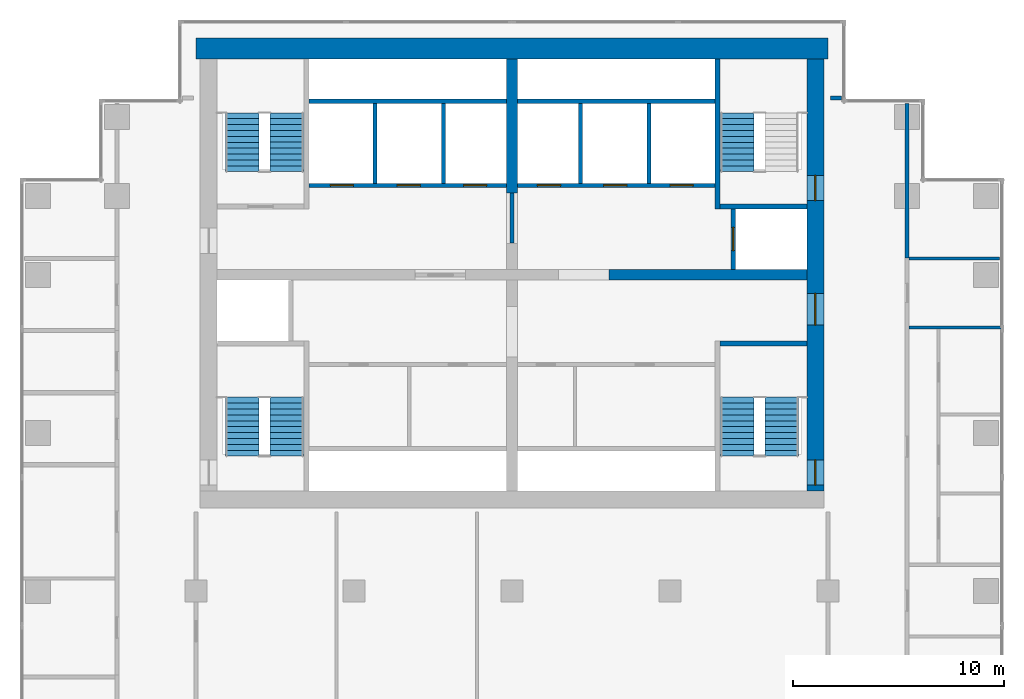
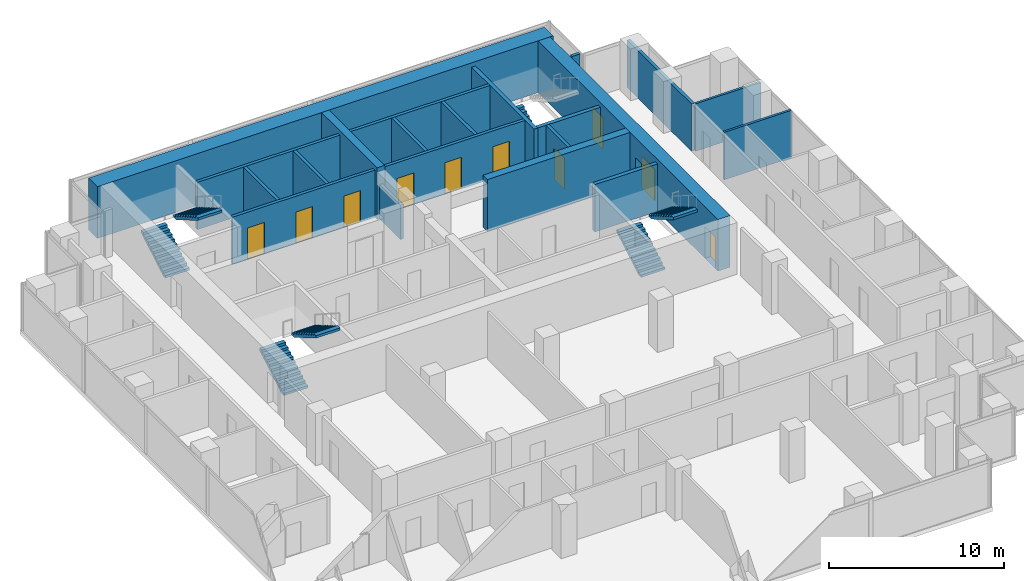
# One storey, part 9 of 11: 21 walls, 10 doors, 7 stair flights, 10 openings, 4 elements without a shape of their own.
"""IFC4 building model written with IfcOpenShell, lengths in metres."""

import ifcopenshell
import ifcopenshell.guid

model = None  # the IFC model being written
_history = None  # IfcOwnerHistory: only IFC2X3 demands one
_inside = {}  # id of a spatial element -> (the spatial element, [elements in it])
_under = {}  # id of a project, library or spatial element -> (it, [spatial elements below it])
_declared = {}  # id of a project -> (the project, [libraries it declares])
_typed = {}  # id of a type object -> (the type object, [elements of that type])
_made_of = {}  # id of a material, layer set ... -> (it, [elements and type objects made of it])


def new_model(schema):
    """Start an empty IFC model of exactly this schema.

    Asked for "IFC4X3", IfcOpenShell would pick the latest addendum, in which some entities
    have other attributes; the version numbers below select the first issue.
    IFC2X3 requires an IfcOwnerHistory on every rooted entity: one is made here for all.
    """
    global model, _history
    if schema == "IFC4X3":
        model = ifcopenshell.file(schema_version=(4, 3, 0, 0))
    else:
        model = ifcopenshell.file(schema=schema)
    _inside.clear()
    _under.clear()
    _declared.clear()
    _typed.clear()
    _made_of.clear()
    _history = None
    if model.schema == "IFC2X3":
        org = make("IfcOrganization", Name="unknown")
        user = make(
            "IfcPersonAndOrganization",
            ThePerson=make("IfcPerson", FamilyName="unknown"),
            TheOrganization=org,
        )
        app = make(
            "IfcApplication",
            ApplicationDeveloper=org,
            Version="unknown",
            ApplicationFullName="unknown",
            ApplicationIdentifier="unknown",
        )
        _history = make(
            "IfcOwnerHistory",
            OwningUser=user,
            OwningApplication=app,
            ChangeAction="ADDED",
            CreationDate=0,
        )
    return model


def make(cls, **values):
    """One entity of the class cls with the attributes given. An attribute that is None is left unset."""
    return model.create_entity(
        cls, **{name: value for name, value in values.items() if value is not None}
    )


def rooted(cls, **values):
    """An entity with a GlobalId (a new one), such as an element, a storey or a relation."""
    return make(cls, GlobalId=ifcopenshell.guid.new(), OwnerHistory=_history, **values)


def si_unit(unit_type, name, prefix=None):
    """IfcSIUnit, for example si_unit("LENGTHUNIT", "METRE", prefix="MILLI")."""
    return make("IfcSIUnit", UnitType=unit_type, Prefix=prefix, Name=name)


def assignment(units):
    """IfcUnitAssignment: the units of a project."""
    return None if units is None else make("IfcUnitAssignment", Units=units)


def point(xyz):
    """IfcCartesianPoint."""
    return None if xyz is None else make("IfcCartesianPoint", Coordinates=xyz)


def direction(xyz):
    """IfcDirection."""
    return None if xyz is None else make("IfcDirection", DirectionRatios=xyz)


def frame(location, z_axis=None, x_axis=None):
    """IfcAxis2Placement3D, a coordinate frame: its origin and axes. An axis left out is left unset."""
    return make(
        "IfcAxis2Placement3D",
        Location=point(location),
        Axis=direction(z_axis),
        RefDirection=direction(x_axis),
    )


def frame_2d(location, x_axis=None):
    """IfcAxis2Placement2D, a coordinate frame in the plane: its origin and x axis."""
    return make(
        "IfcAxis2Placement2D", Location=point(location), RefDirection=direction(x_axis)
    )


def origin():
    """The frame at (0, 0, 0) with its axes left unset."""
    return frame((0.0, 0.0, 0.0))


def place(relative_to, where):
    """IfcLocalPlacement: puts the frame where relative to a parent placement (None: the world)."""
    return make(
        "IfcLocalPlacement", PlacementRelTo=relative_to, RelativePlacement=where
    )


def context(
    kind, dimensions, precision=None, world=None, true_north=None, identifier=None
):
    """IfcGeometricRepresentationContext, for example the 3D "Model" context."""
    return make(
        "IfcGeometricRepresentationContext",
        ContextIdentifier=identifier,
        ContextType=kind,
        CoordinateSpaceDimension=dimensions,
        Precision=precision,
        WorldCoordinateSystem=world,
        TrueNorth=true_north,
    )


def subcontext(parent, identifier, kind, view, scale=None):
    """IfcGeometricRepresentationSubContext, for example "Body" below "Model"."""
    return make(
        "IfcGeometricRepresentationSubContext",
        ContextIdentifier=identifier,
        ContextType=kind,
        ParentContext=parent,
        TargetScale=scale,
        TargetView=view,
    )


def project(units=None, contexts=None):
    """IfcProject with its units and contexts."""
    return rooted(
        "IfcProject",
        Name="project",
        RepresentationContexts=contexts,
        UnitsInContext=assignment(units),
    )


def spatial(cls, under=None, at=None, **own):
    """A site, building, storey or space (cls), placed at a placement, below another one or the project."""
    s = rooted(cls, ObjectPlacement=at, **own)
    if under is not None:
        _under.setdefault(under.id(), (under, []))[1].append(s)
    return s


def polyline(points):
    """IfcPolyline through the points."""
    return make("IfcPolyline", Points=[point(p) for p in points])


def profile(cls, at=None, kind="AREA", **sizes):
    """A parametric profile (cls). Its sizes go by their IFC names, for example OverallWidth=200.0."""
    return make(cls, ProfileType=kind, Position=at, **sizes)


def rectangle(**sizes):
    """IfcRectangleProfileDef."""
    return profile("IfcRectangleProfileDef", **sizes)


def outline(outer, holes=None, kind="AREA"):
    """IfcArbitraryClosedProfileDef: a profile drawn as a closed curve; with holes, ...WithVoids."""
    if holes is None:
        return make("IfcArbitraryClosedProfileDef", ProfileType=kind, OuterCurve=outer)
    return make(
        "IfcArbitraryProfileDefWithVoids",
        ProfileType=kind,
        OuterCurve=outer,
        InnerCurves=holes,
    )


def extrude(swept, where, along, depth):
    """IfcExtrudedAreaSolid: the profile swept, set in the frame where, extruded along a direction by depth."""
    return make(
        "IfcExtrudedAreaSolid",
        SweptArea=swept,
        Position=where,
        ExtrudedDirection=direction(along),
        Depth=depth,
    )


def shape(context_of_items, identifier, shape_type, items):
    """IfcShapeRepresentation: the items that make up one representation, for example the "Body"."""
    return make(
        "IfcShapeRepresentation",
        ContextOfItems=context_of_items,
        RepresentationIdentifier=identifier,
        RepresentationType=shape_type,
        Items=items,
    )


def material(Name=None, Category=None):
    """IfcMaterial."""
    return make("IfcMaterial", Name=Name, Category=Category)


def layer(
    of_material, thickness, ventilated=None, Name=None, Category=None, Priority=None
):
    """IfcMaterialLayer: one layer of a wall or slab, of a material (None: an air gap)."""
    return make(
        "IfcMaterialLayer",
        Material=of_material,
        LayerThickness=thickness,
        IsVentilated=ventilated,
        Name=Name,
        Category=Category,
        Priority=Priority,
    )


def layer_set(layers, Name=None):
    """IfcMaterialLayerSet."""
    return make("IfcMaterialLayerSet", MaterialLayers=layers, LayerSetName=Name)


def made_of(thing, what):
    """Note that an element or type object is made of a material, layer set ...; save() writes the relation."""
    if what is not None:
        _made_of.setdefault(what.id(), (what, []))[1].append(thing)
    return thing


def type_object(cls, material=None, **own):
    """A type object (cls), such as IfcWallType, which elements share."""
    return made_of(rooted(cls, **own), material)


def element(
    cls,
    number,
    at=None,
    inside=None,
    cuts=None,
    type_object=None,
    material=None,
    context=None,
    identifier="Body",
    shape_type=None,
    held_by="IfcProductDefinitionShape",
    body=None,
    shapes=None,
    **own,
):
    """One element of the class cls, such as IfcWall. Its Tag is "e" and its number.

    at: its placement. inside: the storey or other place that contains it. cuts: it is an
    opening in that element (IfcRelVoidsElement). A single representation is given by context,
    identifier, shape_type and body (its items); several are given by shapes. held_by: the class
    of the entity that holds the representations. save() writes the other relations.
    """
    e = rooted(cls, Tag="e%d" % number, ObjectPlacement=at, **own)
    if body is not None:
        shapes = [shape(context, identifier, shape_type, body)]
    if shapes is not None:
        e.Representation = make(held_by, Representations=shapes)
    if inside is not None:
        _inside.setdefault(inside.id(), (inside, []))[1].append(e)
    if cuts is not None:
        rooted(
            "IfcRelVoidsElement", RelatingBuildingElement=cuts, RelatedOpeningElement=e
        )
    if type_object is not None:
        _typed.setdefault(type_object.id(), (type_object, []))[1].append(e)
    return made_of(e, material)


def fill(opening, filler):
    """IfcRelFillsElement: the door or window that sits in an opening."""
    return rooted(
        "IfcRelFillsElement",
        RelatingOpeningElement=opening,
        RelatedBuildingElement=filler,
    )


def aggregate(whole, parts):
    """IfcRelAggregates: a whole, such as a stair, and the parts it consists of."""
    return rooted("IfcRelAggregates", RelatingObject=whole, RelatedObjects=parts)


def save(model, path):
    """Write the relations noted so far, then the file.

    IfcRelAggregates (storeys below a building ...), IfcRelContainedInSpatialStructure (elements
    in a storey), IfcRelDefinesByType, IfcRelAssociatesMaterial and IfcRelDeclares: one each for
    every whole, place, type object, material and project.
    """
    for whole, parts in _under.values():
        aggregate(whole, parts)
    for where, things in _inside.values():
        rooted(
            "IfcRelContainedInSpatialStructure",
            RelatedElements=things,
            RelatingStructure=where,
        )
    for kind, things in _typed.values():
        rooted("IfcRelDefinesByType", RelatedObjects=things, RelatingType=kind)
    for what, things in _made_of.values():
        rooted("IfcRelAssociatesMaterial", RelatedObjects=things, RelatingMaterial=what)
    for by, libraries in _declared.values():
        rooted("IfcRelDeclares", RelatingContext=by, RelatedDefinitions=libraries)
    model.write(path)


model = new_model("IFC4")

# Units and contexts
model_context = context("Model", 3, precision=1e-05, world=origin(), true_north=direction((0.0, 1.0)))
body_context = subcontext(model_context, "Body", "Model", "MODEL_VIEW")
ifc_project = project(units=[si_unit("LENGTHUNIT", "METRE"), si_unit("AREAUNIT", "SQUARE_METRE"), si_unit("VOLUMEUNIT", "CUBIC_METRE"), si_unit("PLANEANGLEUNIT", "RADIAN"), si_unit("MASSUNIT", "GRAM", prefix="KILO")], contexts=[model_context])

# Site, building, storey
site_placement = place(None, origin())
site = spatial("IfcSite", under=ifc_project, at=site_placement, CompositionType="ELEMENT")
building_placement = place(site_placement, origin())
building = spatial("IfcBuilding", under=site, at=building_placement, Name="Pilkhan Gate Tower", CompositionType="ELEMENT")
storey_placement = place(building_placement, frame((0.0, 0.0, 151.300048828125)))
storey = spatial("IfcBuildingStorey", under=building, at=storey_placement, Name="L38", CompositionType="ELEMENT", Elevation=151.300048828125)

# Wall
ifc_material_1 = material(Name="Concrete C60/75", Category="concrete")
ifc_layer_1 = layer(ifc_material_1, 1.0)
ifc_layer_set_1 = layer_set([ifc_layer_1], Name="Core wall CW1000 C60/75")
wall_type_1 = type_object("IfcWallType", Name="Core wall CW1000 C60/75", PredefinedType="SHEAR", material=ifc_layer_set_1)
wall_1_placement = place(storey_placement, frame((90.0, 93.25, 0.0), z_axis=(0.0, 0.0, 1.0), x_axis=(-1.0, 0.0, 0.0)))
element("IfcWall", 1, at=wall_1_placement, inside=storey, type_object=wall_type_1, Name="Core wall N L38", PredefinedType="SHEAR", context=body_context, shape_type="SweptSolid", body=[
    extrude(rectangle(XDim=30.0, YDim=1.0, at=frame_2d((15.0, 0.0))), origin(), (0.0, 0.0, 1.0), 3.599853515625),
])

# Wall, openings, doors
ifc_layer_2 = layer(ifc_material_1, 0.800048828125)
ifc_layer_set_2 = layer_set([ifc_layer_2], Name="Core wall CW800 C60/75")
wall_type_2 = type_object("IfcWallType", Name="Core wall CW800 C60/75", PredefinedType="SHEAR", material=ifc_layer_set_2)
wall_2_placement = place(storey_placement, frame((89.39990234375, 72.25, 0.0), z_axis=(0.0, 0.0, 1.0), x_axis=(0.0, 1.0, 0.0)))
wall_2 = element("IfcWall", 2, at=wall_2_placement, inside=storey, type_object=wall_type_2, Name="Core wall E L38", PredefinedType="SHEAR", context=body_context, shape_type="SweptSolid", body=[
    extrude(rectangle(XDim=20.5, YDim=0.800048828125, at=frame_2d((10.25, 0.0))), origin(), (0.0, 0.0, 1.0), 3.599853515625),
])
opening_1_placement = place(wall_2_placement, frame((0.27490234375, 0.0, 0.0)))
opening_1 = element("IfcOpeningElement", 3, at=opening_1_placement, cuts=wall_2, Name="Opening L38-03", PredefinedType="OPENING", context=body_context, shape_type="SweptSolid", body=[
    extrude(rectangle(XDim=1.199951171875, YDim=2.199951171875, at=frame_2d((0.60009765625, 1.10009765625))), frame((0.0, 0.409912109375, 0.0), z_axis=(0.0, -1.0, 0.0), x_axis=(1.0, 0.0, 0.0)), (0.0, 0.0, 1.0), 0.820068359375),
])
opening_2_placement = place(wall_2_placement, frame((13.77490234375, 0.0, 0.0)))
opening_2 = element("IfcOpeningElement", 4, at=opening_2_placement, cuts=wall_2, Name="Opening L38-05", PredefinedType="OPENING", context=body_context, shape_type="SweptSolid", body=[
    extrude(rectangle(XDim=1.199951171875, YDim=2.199951171875, at=frame_2d((0.60009765625, 1.10009765625))), frame((0.0, 0.409912109375, 0.0), z_axis=(0.0, -1.0, 0.0), x_axis=(1.0, 0.0, 0.0)), (0.0, 0.0, 1.0), 0.820068359375),
])
opening_3_placement = place(wall_2_placement, frame((7.875, 0.0, 0.0)))
opening_3 = element("IfcOpeningElement", 5, at=opening_3_placement, cuts=wall_2, Name="Opening L38-13", PredefinedType="OPENING", context=body_context, shape_type="SweptSolid", body=[
    extrude(rectangle(XDim=1.5, YDim=2.199951171875, at=frame_2d((0.75, 1.10009765625))), frame((0.0, 0.409912109375, 0.0), z_axis=(0.0, -1.0, 0.0), x_axis=(1.0, 0.0, 0.0)), (0.0, 0.0, 1.0), 0.820068359375),
])
ifc_material_2 = material(Name="Steel framed glazed door, 60 minute fire resisting", Category="steel")
door_type_1 = type_object("IfcDoorType", Name="Lobby door D09 1500x2200", OperationType="DOUBLE_DOOR_SINGLE_SWING", PredefinedType="DOOR", material=ifc_material_2)
door_1_placement = place(opening_3_placement, origin())
door_1 = element("IfcDoor", 6, at=door_1_placement, inside=storey, type_object=door_type_1, Name="Core door", OperationType="DOUBLE_DOOR_SINGLE_SWING", OverallHeight=2.199951171875, OverallWidth=1.5, PredefinedType="DOOR", context=body_context, shape_type="SweptSolid", body=[
    extrude(rectangle(XDim=1.5, YDim=2.199951171875, at=frame_2d((0.75, 1.10009765625))), frame((0.0, 0.02490234375, 0.0), z_axis=(0.0, -1.0, 0.0), x_axis=(1.0, 0.0, 0.0)), (0.0, 0.0, 1.0), 0.050048828125),
])
fill(opening_3, door_1)
ifc_material_3 = material(Name="Steel door, 120 minute fire resisting, panic bar", Category="steel")
door_type_2 = type_object("IfcDoorType", Name="Stair door D11 1200x2200", OperationType="SINGLE_SWING_LEFT", PredefinedType="DOOR", material=ifc_material_3)
door_2_placement = place(opening_1_placement, origin())
door_2 = element("IfcDoor", 7, at=door_2_placement, inside=storey, type_object=door_type_2, Name="Stair ST1 door", OperationType="SINGLE_SWING_LEFT", OverallHeight=2.199951171875, OverallWidth=1.199951171875, PredefinedType="DOOR", context=body_context, shape_type="SweptSolid", body=[
    extrude(rectangle(XDim=1.199951171875, YDim=2.199951171875, at=frame_2d((0.60009765625, 1.10009765625))), frame((0.0, 0.02490234375, 0.0), z_axis=(0.0, -1.0, 0.0), x_axis=(1.0, 0.0, 0.0)), (0.0, 0.0, 1.0), 0.050048828125),
])
fill(opening_1, door_2)
door_3_placement = place(opening_2_placement, origin())
door_3 = element("IfcDoor", 8, at=door_3_placement, inside=storey, type_object=door_type_2, Name="Stair ST4 door", OperationType="SINGLE_SWING_RIGHT", OverallHeight=2.199951171875, OverallWidth=1.199951171875, PredefinedType="DOOR", context=body_context, shape_type="SweptSolid", body=[
    extrude(rectangle(XDim=1.199951171875, YDim=2.199951171875, at=frame_2d((0.60009765625, 1.10009765625))), frame((0.0, 0.02490234375, 0.0), z_axis=(0.0, -1.0, 0.0), x_axis=(1.0, 0.0, 0.0)), (0.0, 0.0, 1.0), 0.050048828125),
])
fill(opening_2, door_3)

# Walls
ifc_material_4 = material(Name="Dense blockwork", Category="masonry")
ifc_layer_3 = layer(ifc_material_4, 0.199951171875)
ifc_layer_set_3 = layer_set([ifc_layer_3], Name="Corridor wall FW200")
wall_type_3 = type_object("IfcWallType", Name="Corridor wall FW200", PredefinedType="PARTITIONING", material=ifc_layer_set_3)
wall_3_placement = place(storey_placement, frame((90.1201171875, 90.89990234375, 0.0), z_axis=(0.0, 0.0, 1.0), x_axis=(1.0, 0.0, 0.0)))
element("IfcWall", 9, at=wall_3_placement, inside=storey, type_object=wall_type_3, Name="Partition L38", PredefinedType="PARTITIONING", context=body_context, shape_type="SweptSolid", body=[
    extrude(rectangle(XDim=0.52490234375, YDim=0.199951171875, at=frame_2d((0.262451171875, 0.0))), origin(), (0.0, 0.0, 1.0), 3.300048828125),
])
wall_4_placement = place(storey_placement, frame((93.75, 83.31005859375, 0.0), z_axis=(0.0, 0.0, 1.0), x_axis=(0.0, 1.0, 0.0)))
element("IfcWall", 10, at=wall_4_placement, inside=storey, type_object=wall_type_3, Name="Partition L38", PredefinedType="PARTITIONING", context=body_context, shape_type="SweptSolid", body=[
    extrude(rectangle(XDim=7.3349609375, YDim=0.199951171875, at=frame_2d((3.66748046875, 0.0))), origin(), (0.0, 0.0, 1.0), 3.300048828125),
])
ifc_layer_4 = layer(ifc_material_4, 0.199951171875)
ifc_layer_set_4 = layer_set([ifc_layer_4], Name="Lobby wall LW200")
wall_type_4 = type_object("IfcWallType", Name="Lobby wall LW200", PredefinedType="PARTITIONING", material=ifc_layer_set_4)
wall_5_placement = place(storey_placement, frame((75.0, 84.010009765625, 0.0), z_axis=(0.0, 0.0, 1.0), x_axis=(0.0, 1.0, 0.0)))
element("IfcWall", 11, at=wall_5_placement, inside=storey, type_object=wall_type_4, Name="Partition L38", PredefinedType="PARTITIONING", context=body_context, shape_type="SweptSolid", body=[
    extrude(rectangle(XDim=2.3798828125, YDim=0.199951171875, at=frame_2d((1.18994140625, 0.0))), origin(), (0.0, 0.0, 1.0), 2.39990234375),
])
ifc_material_5 = material(Name="Blockwork partition, plastered both sides", Category="masonry")
ifc_layer_5 = layer(ifc_material_5, 0.14990234375)
ifc_layer_set_5 = layer_set([ifc_layer_5], Name="Partition PW150")
wall_type_5 = type_object("IfcWallType", Name="Partition PW150", PredefinedType="PARTITIONING", material=ifc_layer_set_5)
wall_6_placement = place(storey_placement, frame((93.85009765625, 80.0, 0.0), z_axis=(0.0, 0.0, 1.0), x_axis=(1.0, 0.0, 0.0)))
element("IfcWall", 12, at=wall_6_placement, inside=storey, type_object=wall_type_5, Name="Partition L38", PredefinedType="PARTITIONING", context=body_context, shape_type="SweptSolid", body=[
    extrude(rectangle(XDim=4.414794921875, YDim=0.14990234375, at=frame_2d((2.20751953125, 0.0))), origin(), (0.0, 0.0, 1.0), 3.300048828125),
])
wall_7_placement = place(storey_placement, frame((93.85009765625, 83.280029296875, 0.0), z_axis=(0.0, 0.0, 1.0), x_axis=(1.0, 0.0, 0.0)))
element("IfcWall", 13, at=wall_7_placement, inside=storey, type_object=wall_type_5, Name="Partition L38", PredefinedType="PARTITIONING", context=body_context, shape_type="SweptSolid", body=[
    extrude(rectangle(XDim=4.294921875, YDim=0.14990234375, at=frame_2d((2.1474609375, 0.0))), origin(), (0.0, 0.0, 1.0), 3.300048828125),
])

# Wall, openings, doors
ifc_material_6 = material(Name="Reinforced blockwork shaft wall, 120 minute fire resisting", Category="masonry")
ifc_layer_6 = layer(ifc_material_6, 0.199951171875)
ifc_layer_set_6 = layer_set([ifc_layer_6], Name="Shaft wall SW200")
wall_type_6 = type_object("IfcWallType", Name="Shaft wall SW200", PredefinedType="PARTITIONING", material=ifc_layer_set_6)
wall_8_placement = place(storey_placement, frame((65.375, 86.75, 0.0), z_axis=(0.0, 0.0, 1.0), x_axis=(1.0, 0.0, 0.0)))
wall_8 = element("IfcWall", 14, at=wall_8_placement, inside=storey, type_object=wall_type_6, Name="Partition L38", PredefinedType="PARTITIONING", context=body_context, shape_type="SweptSolid", body=[
    extrude(rectangle(XDim=9.364990234375, YDim=0.199951171875, at=frame_2d((4.6826171875, 0.0))), origin(), (0.0, 0.0, 1.0), 3.300048828125),
])
opening_4_placement = place(wall_8_placement, frame((1.0, 0.0, 0.0)))
opening_4 = element("IfcOpeningElement", 15, at=opening_4_placement, cuts=wall_8, Name="Opening LD", PredefinedType="OPENING", context=body_context, shape_type="SweptSolid", body=[
    extrude(rectangle(XDim=1.10009765625, YDim=2.199951171875, at=frame_2d((0.550048828125, 1.10009765625))), frame((0.0, 0.10986328125, 0.0), z_axis=(0.0, -1.0, 0.0), x_axis=(1.0, 0.0, 0.0)), (0.0, 0.0, 1.0), 0.219970703125),
])
opening_5_placement = place(wall_8_placement, frame((4.175048828125, 0.0, 0.0)))
opening_5 = element("IfcOpeningElement", 16, at=opening_5_placement, cuts=wall_8, Name="Opening LD", PredefinedType="OPENING", context=body_context, shape_type="SweptSolid", body=[
    extrude(rectangle(XDim=1.10009765625, YDim=2.199951171875, at=frame_2d((0.550048828125, 1.10009765625))), frame((0.0, 0.10986328125, 0.0), z_axis=(0.0, -1.0, 0.0), x_axis=(1.0, 0.0, 0.0)), (0.0, 0.0, 1.0), 0.219970703125),
])
opening_6_placement = place(wall_8_placement, frame((7.324951171875, 0.0, 0.0)))
opening_6 = element("IfcOpeningElement", 17, at=opening_6_placement, cuts=wall_8, Name="Opening LD", PredefinedType="OPENING", context=body_context, shape_type="SweptSolid", body=[
    extrude(rectangle(XDim=1.10009765625, YDim=2.199951171875, at=frame_2d((0.550048828125, 1.10009765625))), frame((0.0, 0.10986328125, 0.0), z_axis=(0.0, -1.0, 0.0), x_axis=(1.0, 0.0, 0.0)), (0.0, 0.0, 1.0), 0.219970703125),
])
ifc_material_7 = material(Name="Stainless steel centre-opening landing door, 120 minute fire resisting", Category="steel")
door_type_3 = type_object("IfcDoorType", Name="Lift landing door LD 1100x2200", OperationType="DOUBLE_DOOR_SLIDING", PredefinedType="DOOR", material=ifc_material_7)
door_4_placement = place(opening_4_placement, origin())
door_4 = element("IfcDoor", 18, at=door_4_placement, inside=storey, type_object=door_type_3, Name="Landing door FF1", OperationType="DOUBLE_DOOR_SLIDING", OverallHeight=2.199951171875, OverallWidth=1.10009765625, PredefinedType="DOOR", context=body_context, shape_type="SweptSolid", body=[
    extrude(rectangle(XDim=1.10009765625, YDim=2.199951171875, at=frame_2d((0.550048828125, 1.10009765625))), frame((0.0, 0.02490234375, 0.0), z_axis=(0.0, -1.0, 0.0), x_axis=(1.0, 0.0, 0.0)), (0.0, 0.0, 1.0), 0.050048828125),
])
fill(opening_4, door_4)
door_5_placement = place(opening_5_placement, origin())
door_5 = element("IfcDoor", 19, at=door_5_placement, inside=storey, type_object=door_type_3, Name="Landing door FF2", OperationType="DOUBLE_DOOR_SLIDING", OverallHeight=2.199951171875, OverallWidth=1.10009765625, PredefinedType="DOOR", context=body_context, shape_type="SweptSolid", body=[
    extrude(rectangle(XDim=1.10009765625, YDim=2.199951171875, at=frame_2d((0.550048828125, 1.10009765625))), frame((0.0, 0.02490234375, 0.0), z_axis=(0.0, -1.0, 0.0), x_axis=(1.0, 0.0, 0.0)), (0.0, 0.0, 1.0), 0.050048828125),
])
fill(opening_5, door_5)
door_6_placement = place(opening_6_placement, origin())
door_6 = element("IfcDoor", 20, at=door_6_placement, inside=storey, type_object=door_type_3, Name="Landing door SV1", OperationType="DOUBLE_DOOR_SLIDING", OverallHeight=2.199951171875, OverallWidth=1.10009765625, PredefinedType="DOOR", context=body_context, shape_type="SweptSolid", body=[
    extrude(rectangle(XDim=1.10009765625, YDim=2.199951171875, at=frame_2d((0.550048828125, 1.10009765625))), frame((0.0, 0.02490234375, 0.0), z_axis=(0.0, -1.0, 0.0), x_axis=(1.0, 0.0, 0.0)), (0.0, 0.0, 1.0), 0.050048828125),
])
fill(opening_6, door_6)

wall_9_placement = place(storey_placement, frame((75.260009765625, 86.75, 0.0), z_axis=(0.0, 0.0, 1.0), x_axis=(1.0, 0.0, 0.0)))
wall_9 = element("IfcWall", 21, at=wall_9_placement, inside=storey, type_object=wall_type_6, Name="Partition L38", PredefinedType="PARTITIONING", context=body_context, shape_type="SweptSolid", body=[
    extrude(rectangle(XDim=9.364990234375, YDim=0.199951171875, at=frame_2d((4.6826171875, 0.0))), origin(), (0.0, 0.0, 1.0), 3.300048828125),
])
opening_7_placement = place(wall_9_placement, frame((0.949951171875, 0.0, 0.0)))
opening_7 = element("IfcOpeningElement", 22, at=opening_7_placement, cuts=wall_9, Name="Opening LD", PredefinedType="OPENING", context=body_context, shape_type="SweptSolid", body=[
    extrude(rectangle(XDim=1.10009765625, YDim=2.199951171875, at=frame_2d((0.550048828125, 1.10009765625))), frame((0.0, 0.10986328125, 0.0), z_axis=(0.0, -1.0, 0.0), x_axis=(1.0, 0.0, 0.0)), (0.0, 0.0, 1.0), 0.219970703125),
])
opening_8_placement = place(wall_9_placement, frame((4.090087890625, 0.0, 0.0)))
opening_8 = element("IfcOpeningElement", 23, at=opening_8_placement, cuts=wall_9, Name="Opening LD", PredefinedType="OPENING", context=body_context, shape_type="SweptSolid", body=[
    extrude(rectangle(XDim=1.10009765625, YDim=2.199951171875, at=frame_2d((0.550048828125, 1.10009765625))), frame((0.0, 0.10986328125, 0.0), z_axis=(0.0, -1.0, 0.0), x_axis=(1.0, 0.0, 0.0)), (0.0, 0.0, 1.0), 0.219970703125),
])
opening_9_placement = place(wall_9_placement, frame((7.239990234375, 0.0, 0.0)))
opening_9 = element("IfcOpeningElement", 24, at=opening_9_placement, cuts=wall_9, Name="Opening LD", PredefinedType="OPENING", context=body_context, shape_type="SweptSolid", body=[
    extrude(rectangle(XDim=1.10009765625, YDim=2.199951171875, at=frame_2d((0.550048828125, 1.10009765625))), frame((0.0, 0.10986328125, 0.0), z_axis=(0.0, -1.0, 0.0), x_axis=(1.0, 0.0, 0.0)), (0.0, 0.0, 1.0), 0.219970703125),
])
door_7_placement = place(opening_7_placement, origin())
door_7 = element("IfcDoor", 25, at=door_7_placement, inside=storey, type_object=door_type_3, Name="Landing door HR1", OperationType="DOUBLE_DOOR_SLIDING", OverallHeight=2.199951171875, OverallWidth=1.10009765625, PredefinedType="DOOR", context=body_context, shape_type="SweptSolid", body=[
    extrude(rectangle(XDim=1.10009765625, YDim=2.199951171875, at=frame_2d((0.550048828125, 1.10009765625))), frame((0.0, 0.02490234375, 0.0), z_axis=(0.0, -1.0, 0.0), x_axis=(1.0, 0.0, 0.0)), (0.0, 0.0, 1.0), 0.050048828125),
])
fill(opening_7, door_7)
door_8_placement = place(opening_8_placement, origin())
door_8 = element("IfcDoor", 26, at=door_8_placement, inside=storey, type_object=door_type_3, Name="Landing door HR2", OperationType="DOUBLE_DOOR_SLIDING", OverallHeight=2.199951171875, OverallWidth=1.10009765625, PredefinedType="DOOR", context=body_context, shape_type="SweptSolid", body=[
    extrude(rectangle(XDim=1.10009765625, YDim=2.199951171875, at=frame_2d((0.550048828125, 1.10009765625))), frame((0.0, 0.02490234375, 0.0), z_axis=(0.0, -1.0, 0.0), x_axis=(1.0, 0.0, 0.0)), (0.0, 0.0, 1.0), 0.050048828125),
])
fill(opening_8, door_8)
door_9_placement = place(opening_9_placement, origin())
door_9 = element("IfcDoor", 27, at=door_9_placement, inside=storey, type_object=door_type_3, Name="Landing door HR3", OperationType="DOUBLE_DOOR_SLIDING", OverallHeight=2.199951171875, OverallWidth=1.10009765625, PredefinedType="DOOR", context=body_context, shape_type="SweptSolid", body=[
    extrude(rectangle(XDim=1.10009765625, YDim=2.199951171875, at=frame_2d((0.550048828125, 1.10009765625))), frame((0.0, 0.02490234375, 0.0), z_axis=(0.0, -1.0, 0.0), x_axis=(1.0, 0.0, 0.0)), (0.0, 0.0, 1.0), 0.050048828125),
])
fill(opening_9, door_9)

# Walls
for number, where, z_axis, x_axis, name in (
    (28, (65.375, 90.75, 0.0), (0.0, 0.0, 1.0), (1.0, 0.0, 0.0), "Partition L38"),
    (29, (75.260009765625, 90.75, 0.0), (0.0, 0.0, 1.0), (1.0, 0.0, 0.0), "Partition L38"),
):
    element("IfcWall", number, at=place(storey_placement, frame(where, z_axis=z_axis, x_axis=x_axis)), inside=storey, type_object=wall_type_6, Name=name, PredefinedType="PARTITIONING", context=body_context, shape_type="SweptSolid", body=[
        extrude(rectangle(XDim=9.364990234375, YDim=0.199951171875, at=frame_2d((4.6826171875, 0.0))), origin(), (0.0, 0.0, 1.0), 3.300048828125),
    ])
for number, where, z_axis, x_axis, name in (
    (30, (68.5, 86.85009765625, 0.0), (0.0, 0.0, 1.0), (0.0, 1.0, 0.0), "Partition L38"),
    (31, (71.75, 86.85009765625, 0.0), (0.0, 0.0, 1.0), (0.0, 1.0, 0.0), "Partition L38"),
    (32, (78.25, 86.85009765625, 0.0), (0.0, 0.0, 1.0), (0.0, 1.0, 0.0), "Partition L38"),
    (33, (81.5, 86.85009765625, 0.0), (0.0, 0.0, 1.0), (0.0, 1.0, 0.0), "Partition L38"),
):
    element("IfcWall", number, at=place(storey_placement, frame(where, z_axis=z_axis, x_axis=x_axis)), inside=storey, type_object=wall_type_6, Name=name, PredefinedType="PARTITIONING", context=body_context, shape_type="SweptSolid", body=[
        extrude(rectangle(XDim=3.7998046875, YDim=0.199951171875, at=frame_2d((1.89990234375, 0.0))), origin(), (0.0, 0.0, 1.0), 3.300048828125),
    ])

# Wall, opening, door
wall_10_placement = place(storey_placement, frame((85.5, 82.760009765625, 0.0), z_axis=(0.0, 0.0, 1.0), x_axis=(0.0, 1.0, 0.0)))
wall_10 = element("IfcWall", 34, at=wall_10_placement, inside=storey, type_object=wall_type_6, Name="Partition L38", PredefinedType="PARTITIONING", context=body_context, shape_type="SweptSolid", body=[
    extrude(rectangle(XDim=2.864990234375, YDim=0.199951171875, at=frame_2d((1.4326171875, 0.0))), origin(), (0.0, 0.0, 1.0), 3.300048828125),
])
opening_10_placement = place(wall_10_placement, frame((0.89990234375, 0.0, 0.0)))
opening_10 = element("IfcOpeningElement", 35, at=opening_10_placement, cuts=wall_10, Name="Opening LD", PredefinedType="OPENING", context=body_context, shape_type="SweptSolid", body=[
    extrude(rectangle(XDim=1.10009765625, YDim=2.199951171875, at=frame_2d((0.550048828125, 1.10009765625))), frame((0.0, 0.10986328125, 0.0), z_axis=(0.0, -1.0, 0.0), x_axis=(1.0, 0.0, 0.0)), (0.0, 0.0, 1.0), 0.219970703125),
])
door_10_placement = place(opening_10_placement, origin())
door_10 = element("IfcDoor", 36, at=door_10_placement, inside=storey, type_object=door_type_3, Name="Landing door HR4", OperationType="DOUBLE_DOOR_SLIDING", OverallHeight=2.199951171875, OverallWidth=1.10009765625, PredefinedType="DOOR", context=body_context, shape_type="SweptSolid", body=[
    extrude(rectangle(XDim=1.10009765625, YDim=2.199951171875, at=frame_2d((0.550048828125, 1.10009765625))), frame((0.0, 0.02490234375, 0.0), z_axis=(0.0, -1.0, 0.0), x_axis=(1.0, 0.0, 0.0)), (0.0, 0.0, 1.0), 0.050048828125),
])
fill(opening_10, door_10)

# Walls
ifc_layer_7 = layer(ifc_material_1, 0.5)
ifc_layer_set_7 = layer_set([ifc_layer_7], Name="Spine wall SW500 C60/75")
wall_type_7 = type_object("IfcWallType", Name="Spine wall SW500 C60/75", PredefinedType="SHEAR", material=ifc_layer_set_7)
wall_11_placement = place(storey_placement, frame((79.60009765625, 82.5, 0.0), z_axis=(0.0, 0.0, 1.0), x_axis=(1.0, 0.0, 0.0)))
element("IfcWall", 37, at=wall_11_placement, inside=storey, type_object=wall_type_7, Name="Spine wall SP-EW3 L38", PredefinedType="SHEAR", context=body_context, shape_type="SweptSolid", body=[
    extrude(rectangle(XDim=9.39990234375, YDim=0.5, at=frame_2d((4.699951171875, 0.0))), origin(), (0.0, 0.0, 1.0), 3.599853515625),
])
wall_12_placement = place(storey_placement, frame((75.0, 86.39990234375, 0.0), z_axis=(0.0, 0.0, 1.0), x_axis=(0.0, 1.0, 0.0)))
element("IfcWall", 38, at=wall_12_placement, inside=storey, type_object=wall_type_7, Name="Spine wall SP-NS-N2 L38", PredefinedType="SHEAR", context=body_context, shape_type="SweptSolid", body=[
    extrude(rectangle(XDim=6.35009765625, YDim=0.5, at=frame_2d((3.175048828125, 0.0))), origin(), (0.0, 0.0, 1.0), 3.599853515625),
])
ifc_material_8 = material(Name="Reinforced blockwork, 120 minute fire resisting", Category="masonry")
ifc_layer_8 = layer(ifc_material_8, 0.25)
ifc_layer_set_8 = layer_set([ifc_layer_8], Name="Stair enclosure wall SE250")
wall_type_8 = type_object("IfcWallType", Name="Stair enclosure wall SE250", PredefinedType="PARTITIONING", material=ifc_layer_set_8)
for number, where, z_axis, x_axis, name in (
    (39, (84.875, 79.25, 0.0), (0.0, 0.0, 1.0), (1.0, 0.0, 0.0), "Partition L38"),
    (40, (84.875, 85.75, 0.0), (0.0, 0.0, 1.0), (1.0, 0.0, 0.0), "Partition L38"),
):
    element("IfcWall", number, at=place(storey_placement, frame(where, z_axis=z_axis, x_axis=x_axis)), inside=storey, type_object=wall_type_8, Name=name, PredefinedType="PARTITIONING", context=body_context, shape_type="SweptSolid", body=[
        extrude(rectangle(XDim=4.125, YDim=0.25, at=frame_2d((2.0625, 0.0))), origin(), (0.0, 0.0, 1.0), 3.300048828125),
    ])
wall_13_placement = place(storey_placement, frame((84.75, 85.625, 0.0), z_axis=(0.0, 0.0, 1.0), x_axis=(0.0, 1.0, 0.0)))
element("IfcWall", 41, at=wall_13_placement, inside=storey, type_object=wall_type_8, Name="Partition L38", PredefinedType="PARTITIONING", context=body_context, shape_type="SweptSolid", body=[
    extrude(rectangle(XDim=7.114990234375, YDim=0.25, at=frame_2d((3.5576171875, 0.0))), origin(), (0.0, 0.0, 1.0), 3.300048828125),
])

# Stair, stair flights
ifc_material_9 = material(Name="Concrete C40/50 precast", Category="concrete")
stair_type_1 = type_object("IfcStairType", Name="Stair ST1 164x280", PredefinedType="HALF_TURN_STAIR", material=ifc_material_9)
stair_1_placement = place(storey_placement, origin())
stair_1 = element("IfcStair", 42, at=stair_1_placement, inside=storey, type_object=stair_type_1, Name="Stair ST1 L38", PredefinedType="HALF_TURN_STAIR")
stair_flight_type_1 = type_object("IfcStairFlightType", Name="Stair flight ST1 164x280x11", PredefinedType="STRAIGHT", material=ifc_material_9)
stair_flight_1_placement = place(storey_placement, frame((85.68994140625, 73.89990234375, 0.0), z_axis=(0.0, 0.0, 1.0), x_axis=(0.0, 1.0, 0.0)))
stair_flight_1 = element("IfcStairFlight", 43, at=stair_flight_1_placement, type_object=stair_flight_type_1, Name="ST1 flight 1", NumberOfRisers=11, NumberOfTreads=10, PredefinedType="STRAIGHT", RiserHeight=0.163636364, TreadLength=0.28, context=body_context, shape_type="SweptSolid", body=[
    extrude(outline(polyline([(0.0, 0.0), (0.0, 0.16357421875), (0.280029296875, 0.16357421875), (0.280029296875, 0.327392578125), (0.56005859375, 0.327392578125), (0.56005859375, 0.490966796875), (0.840087890625, 0.490966796875), (0.840087890625, 0.654541015625), (1.1201171875, 0.654541015625), (1.1201171875, 0.818115234375), (1.39990234375, 0.818115234375), (1.39990234375, 0.98193359375), (1.679931640625, 0.98193359375), (1.679931640625, 1.1455078125), (1.9599609375, 1.1455078125), (1.9599609375, 1.30908203125), (2.239990234375, 1.30908203125), (2.239990234375, 1.47265625), (2.52001953125, 1.47265625), (2.52001953125, 1.636474609375), (2.800048828125, 1.636474609375), (2.800048828125, 1.800048828125), (2.800048828125, 1.462646484375), (0.297119140625, 0.0), (0.0, 0.0)])), frame((0.0, 0.7900390625, 0.0), z_axis=(0.0, -1.0, 0.0), x_axis=(1.0, 0.0, 0.0)), (0.0, 0.0, 1.0), 1.580078125),
])
stair_flight_2_placement = place(storey_placement, frame((87.81005859375, 76.699951171875, 1.800048828125), z_axis=(0.0, 0.0, 1.0), x_axis=(0.0, -1.0, 0.0)))
stair_flight_2 = element("IfcStairFlight", 44, at=stair_flight_2_placement, type_object=stair_flight_type_1, Name="ST1 flight 2", NumberOfRisers=11, NumberOfTreads=10, PredefinedType="STRAIGHT", RiserHeight=0.163636364, TreadLength=0.28, context=body_context, shape_type="SweptSolid", body=[
    extrude(outline(polyline([(0.0, 0.0), (0.0, 0.16357421875), (0.280029296875, 0.16357421875), (0.280029296875, 0.327392578125), (0.56005859375, 0.327392578125), (0.56005859375, 0.490966796875), (0.840087890625, 0.490966796875), (0.840087890625, 0.654541015625), (1.1201171875, 0.654541015625), (1.1201171875, 0.818115234375), (1.39990234375, 0.818115234375), (1.39990234375, 0.98193359375), (1.679931640625, 0.98193359375), (1.679931640625, 1.1455078125), (1.9599609375, 1.1455078125), (1.9599609375, 1.30908203125), (2.239990234375, 1.30908203125), (2.239990234375, 1.47265625), (2.52001953125, 1.47265625), (2.52001953125, 1.636474609375), (2.800048828125, 1.636474609375), (2.800048828125, 1.800048828125), (2.800048828125, 1.462646484375), (0.297119140625, 0.0), (0.0, 0.0)])), frame((0.0, 0.7900390625, 0.0), z_axis=(0.0, -1.0, 0.0), x_axis=(1.0, 0.0, 0.0)), (0.0, 0.0, 1.0), 1.580078125),
])
aggregate(stair_1, [stair_flight_1, stair_flight_2])

stair_type_2 = type_object("IfcStairType", Name="Stair ST2 164x280", PredefinedType="HALF_TURN_STAIR", material=ifc_material_9)
stair_2_placement = place(storey_placement, origin())
stair_2 = element("IfcStair", 45, at=stair_2_placement, inside=storey, type_object=stair_type_2, Name="Stair ST2 L38", PredefinedType="HALF_TURN_STAIR")
stair_flight_type_2 = type_object("IfcStairFlightType", Name="Stair flight ST2 164x280x11", PredefinedType="STRAIGHT", material=ifc_material_9)
stair_flight_3_placement = place(storey_placement, frame((62.18994140625, 73.89990234375, 0.0), z_axis=(0.0, 0.0, 1.0), x_axis=(0.0, 1.0, 0.0)))
stair_flight_3 = element("IfcStairFlight", 46, at=stair_flight_3_placement, type_object=stair_flight_type_2, Name="ST2 flight 1", NumberOfRisers=11, NumberOfTreads=10, PredefinedType="STRAIGHT", RiserHeight=0.163636364, TreadLength=0.28, context=body_context, shape_type="SweptSolid", body=[
    extrude(outline(polyline([(0.0, 0.0), (0.0, 0.16357421875), (0.280029296875, 0.16357421875), (0.280029296875, 0.327392578125), (0.56005859375, 0.327392578125), (0.56005859375, 0.490966796875), (0.840087890625, 0.490966796875), (0.840087890625, 0.654541015625), (1.1201171875, 0.654541015625), (1.1201171875, 0.818115234375), (1.39990234375, 0.818115234375), (1.39990234375, 0.98193359375), (1.679931640625, 0.98193359375), (1.679931640625, 1.1455078125), (1.9599609375, 1.1455078125), (1.9599609375, 1.30908203125), (2.239990234375, 1.30908203125), (2.239990234375, 1.47265625), (2.52001953125, 1.47265625), (2.52001953125, 1.636474609375), (2.800048828125, 1.636474609375), (2.800048828125, 1.800048828125), (2.800048828125, 1.462646484375), (0.297119140625, 0.0), (0.0, 0.0)])), frame((0.0, 0.7900390625, 0.0), z_axis=(0.0, -1.0, 0.0), x_axis=(1.0, 0.0, 0.0)), (0.0, 0.0, 1.0), 1.580078125),
])
stair_flight_4_placement = place(storey_placement, frame((64.31005859375, 76.699951171875, 1.800048828125), z_axis=(0.0, 0.0, 1.0), x_axis=(0.0, -1.0, 0.0)))
stair_flight_4 = element("IfcStairFlight", 47, at=stair_flight_4_placement, type_object=stair_flight_type_2, Name="ST2 flight 2", NumberOfRisers=11, NumberOfTreads=10, PredefinedType="STRAIGHT", RiserHeight=0.163636364, TreadLength=0.28, context=body_context, shape_type="SweptSolid", body=[
    extrude(outline(polyline([(0.0, 0.0), (0.0, 0.16357421875), (0.280029296875, 0.16357421875), (0.280029296875, 0.327392578125), (0.56005859375, 0.327392578125), (0.56005859375, 0.490966796875), (0.840087890625, 0.490966796875), (0.840087890625, 0.654541015625), (1.1201171875, 0.654541015625), (1.1201171875, 0.818115234375), (1.39990234375, 0.818115234375), (1.39990234375, 0.98193359375), (1.679931640625, 0.98193359375), (1.679931640625, 1.1455078125), (1.9599609375, 1.1455078125), (1.9599609375, 1.30908203125), (2.239990234375, 1.30908203125), (2.239990234375, 1.47265625), (2.52001953125, 1.47265625), (2.52001953125, 1.636474609375), (2.800048828125, 1.636474609375), (2.800048828125, 1.800048828125), (2.800048828125, 1.462646484375), (0.297119140625, 0.0), (0.0, 0.0)])), frame((0.0, 0.7900390625, 0.0), z_axis=(0.0, -1.0, 0.0), x_axis=(1.0, 0.0, 0.0)), (0.0, 0.0, 1.0), 1.580078125),
])
aggregate(stair_2, [stair_flight_3, stair_flight_4])

stair_type_3 = type_object("IfcStairType", Name="Stair ST3 164x280", PredefinedType="HALF_TURN_STAIR", material=ifc_material_9)
stair_3_placement = place(storey_placement, origin())
stair_3 = element("IfcStair", 48, at=stair_3_placement, inside=storey, type_object=stair_type_3, Name="Stair ST3 L38", PredefinedType="HALF_TURN_STAIR")
stair_flight_type_3 = type_object("IfcStairFlightType", Name="Stair flight ST3 164x280x11", PredefinedType="STRAIGHT", material=ifc_material_9)
stair_flight_5_placement = place(storey_placement, frame((62.18994140625, 87.39990234375, 0.0), z_axis=(0.0, 0.0, 1.0), x_axis=(0.0, 1.0, 0.0)))
stair_flight_5 = element("IfcStairFlight", 49, at=stair_flight_5_placement, type_object=stair_flight_type_3, Name="ST3 flight 1", NumberOfRisers=11, NumberOfTreads=10, PredefinedType="STRAIGHT", RiserHeight=0.163636364, TreadLength=0.28, context=body_context, shape_type="SweptSolid", body=[
    extrude(outline(polyline([(0.0, 0.0), (0.0, 0.16357421875), (0.280029296875, 0.16357421875), (0.280029296875, 0.327392578125), (0.56005859375, 0.327392578125), (0.56005859375, 0.490966796875), (0.840087890625, 0.490966796875), (0.840087890625, 0.654541015625), (1.1201171875, 0.654541015625), (1.1201171875, 0.818115234375), (1.39990234375, 0.818115234375), (1.39990234375, 0.98193359375), (1.679931640625, 0.98193359375), (1.679931640625, 1.1455078125), (1.9599609375, 1.1455078125), (1.9599609375, 1.30908203125), (2.239990234375, 1.30908203125), (2.239990234375, 1.47265625), (2.52001953125, 1.47265625), (2.52001953125, 1.636474609375), (2.800048828125, 1.636474609375), (2.800048828125, 1.800048828125), (2.800048828125, 1.462646484375), (0.297119140625, 0.0), (0.0, 0.0)])), frame((0.0, 0.7900390625, 0.0), z_axis=(0.0, -1.0, 0.0), x_axis=(1.0, 0.0, 0.0)), (0.0, 0.0, 1.0), 1.580078125),
])
stair_flight_6_placement = place(storey_placement, frame((64.31005859375, 90.199951171875, 1.800048828125), z_axis=(0.0, 0.0, 1.0), x_axis=(0.0, -1.0, 0.0)))
stair_flight_6 = element("IfcStairFlight", 50, at=stair_flight_6_placement, type_object=stair_flight_type_3, Name="ST3 flight 2", NumberOfRisers=11, NumberOfTreads=10, PredefinedType="STRAIGHT", RiserHeight=0.163636364, TreadLength=0.28, context=body_context, shape_type="SweptSolid", body=[
    extrude(outline(polyline([(0.0, 0.0), (0.0, 0.16357421875), (0.280029296875, 0.16357421875), (0.280029296875, 0.327392578125), (0.56005859375, 0.327392578125), (0.56005859375, 0.490966796875), (0.840087890625, 0.490966796875), (0.840087890625, 0.654541015625), (1.1201171875, 0.654541015625), (1.1201171875, 0.818115234375), (1.39990234375, 0.818115234375), (1.39990234375, 0.98193359375), (1.679931640625, 0.98193359375), (1.679931640625, 1.1455078125), (1.9599609375, 1.1455078125), (1.9599609375, 1.30908203125), (2.239990234375, 1.30908203125), (2.239990234375, 1.47265625), (2.52001953125, 1.47265625), (2.52001953125, 1.636474609375), (2.800048828125, 1.636474609375), (2.800048828125, 1.800048828125), (2.800048828125, 1.462646484375), (0.297119140625, 0.0), (0.0, 0.0)])), frame((0.0, 0.7900390625, 0.0), z_axis=(0.0, -1.0, 0.0), x_axis=(1.0, 0.0, 0.0)), (0.0, 0.0, 1.0), 1.580078125),
])
aggregate(stair_3, [stair_flight_5, stair_flight_6])

# Stair, stair flight
stair_type_4 = type_object("IfcStairType", Name="Stair ST4 164x280", PredefinedType="HALF_TURN_STAIR", material=ifc_material_9)
stair_4_placement = place(storey_placement, origin())
stair_4 = element("IfcStair", 51, at=stair_4_placement, inside=storey, type_object=stair_type_4, Name="Stair ST4 L38", PredefinedType="HALF_TURN_STAIR")
stair_flight_type_4 = type_object("IfcStairFlightType", Name="Stair flight ST4 164x280x11", PredefinedType="STRAIGHT", material=ifc_material_9)
stair_flight_7_placement = place(storey_placement, frame((85.68994140625, 87.39990234375, 0.0), z_axis=(0.0, 0.0, 1.0), x_axis=(0.0, 1.0, 0.0)))
stair_flight_7 = element("IfcStairFlight", 52, at=stair_flight_7_placement, type_object=stair_flight_type_4, Name="ST4 flight 1", NumberOfRisers=11, NumberOfTreads=10, PredefinedType="STRAIGHT", RiserHeight=0.163636364, TreadLength=0.28, context=body_context, shape_type="SweptSolid", body=[
    extrude(outline(polyline([(0.0, 0.0), (0.0, 0.16357421875), (0.280029296875, 0.16357421875), (0.280029296875, 0.327392578125), (0.56005859375, 0.327392578125), (0.56005859375, 0.490966796875), (0.840087890625, 0.490966796875), (0.840087890625, 0.654541015625), (1.1201171875, 0.654541015625), (1.1201171875, 0.818115234375), (1.39990234375, 0.818115234375), (1.39990234375, 0.98193359375), (1.679931640625, 0.98193359375), (1.679931640625, 1.1455078125), (1.9599609375, 1.1455078125), (1.9599609375, 1.30908203125), (2.239990234375, 1.30908203125), (2.239990234375, 1.47265625), (2.52001953125, 1.47265625), (2.52001953125, 1.636474609375), (2.800048828125, 1.636474609375), (2.800048828125, 1.800048828125), (2.800048828125, 1.462646484375), (0.297119140625, 0.0), (0.0, 0.0)])), frame((0.0, 0.7900390625, 0.0), z_axis=(0.0, -1.0, 0.0), x_axis=(1.0, 0.0, 0.0)), (0.0, 0.0, 1.0), 1.580078125),
])
aggregate(stair_4, [stair_flight_7])

save(model, "model.ifc")
